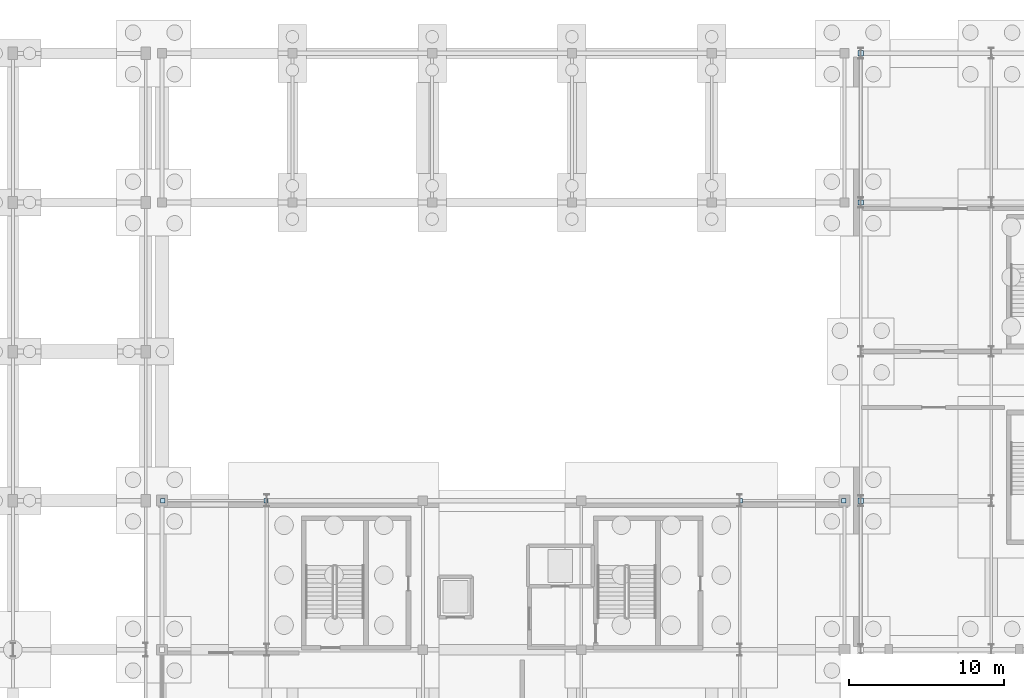
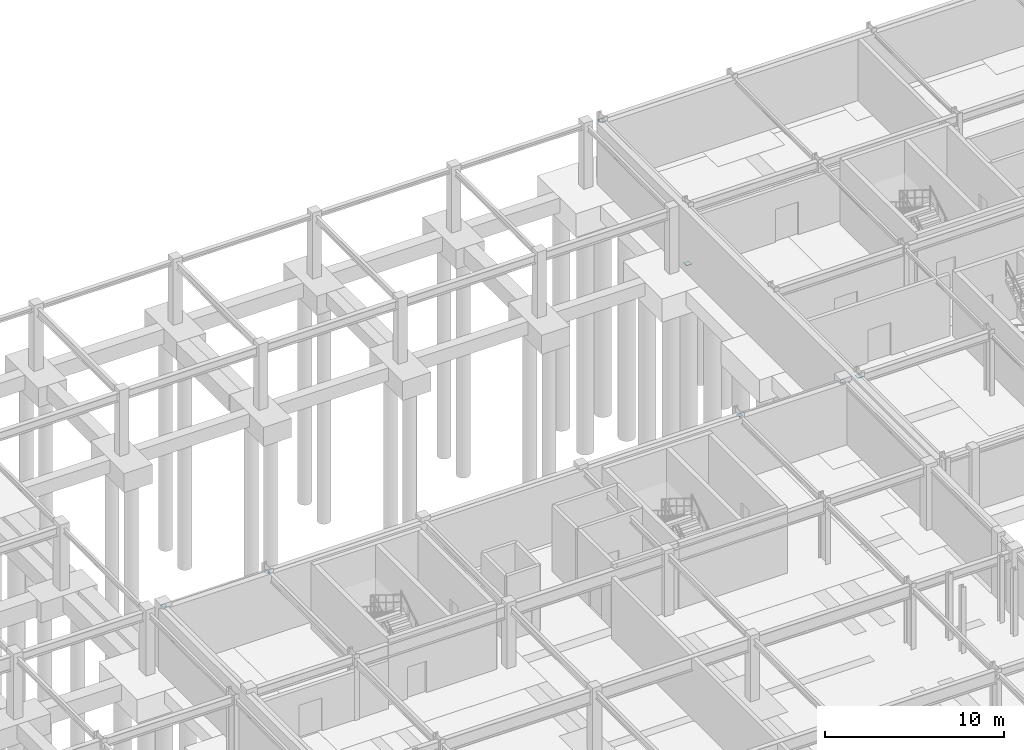
# One storey, part 36 of 59: 7 plates.
"""IFC4 building model written with IfcOpenShell, lengths in metres."""

from ifc_helpers import new_model, si_unit, direction, frame, origin, origin_2d, place, context, subcontext, project, spatial, rectangle, extrude, material, layer, layer_set, type_object, element, save


model = new_model("IFC4")

# Units and contexts
model_context = context("Model", 3, precision=1e-05, world=origin(), true_north=direction((0.0, 1.0)))
body_context = subcontext(model_context, "Body", "Model", "MODEL_VIEW")
ifc_project = project(units=[si_unit("LENGTHUNIT", "METRE"), si_unit("AREAUNIT", "SQUARE_METRE"), si_unit("VOLUMEUNIT", "CUBIC_METRE"), si_unit("PLANEANGLEUNIT", "RADIAN"), si_unit("MASSUNIT", "GRAM", prefix="KILO")], contexts=[model_context])

# Site, building, storey
site_placement = place(None, origin())
site = spatial("IfcSite", under=ifc_project, at=site_placement, CompositionType="ELEMENT")
building_placement = place(site_placement, origin())
building = spatial("IfcBuilding", under=site, at=building_placement, Name="Myrtia Square Station", CompositionType="ELEMENT")
storey_placement = place(building_placement, frame((0.0, 0.0, -4.5)))
storey = spatial("IfcBuildingStorey", under=building, at=storey_placement, Name="B01", CompositionType="ELEMENT", Elevation=-4.5)

# Plates
ifc_material = material(Name="Steel S355", Category="steel")
ifc_layer_1 = layer(ifc_material, 0.01611328125, Name="Steel S355")
ifc_layer_set_1 = layer_set([ifc_layer_1], Name="Steel S355")
plate_type_1 = type_object("IfcPlateType", Name="PLT-GUS16", PredefinedType="USERDEFINED", material=ifc_layer_set_1)
for number, where, z_axis, x_axis, name in (
    (1, (72.64990234375, 96.0, 4.0869140625), (0.0, 0.0, 1.0), (1.0, 0.0, 0.0), "Truss node gusset plate SPN-B01-0016-1"),
    (2, (79.300048828125, 96.0, 4.0869140625), (0.0, 0.0, 1.0), (1.0, 0.0, 0.0), "Truss node gusset plate SPN-B01-0016-2"),
    (3, (109.85009765625, 96.0, 4.0869140625), (0.0, 0.0, 1.0), (1.0, 0.0, 0.0), "Truss node gusset plate SPN-B01-0017-1"),
    (4, (116.5, 96.0, 4.0869140625), (0.0, 0.0, 1.0), (1.0, 0.0, 0.0), "Truss node gusset plate SPN-B01-0017-2"),
):
    element("IfcPlate", number, at=place(storey_placement, frame(where, z_axis=z_axis, x_axis=x_axis)), inside=storey, type_object=plate_type_1, Name=name, ObjectType="GUSSET PLATE", PredefinedType="USERDEFINED", context=body_context, shape_type="SweptSolid", body=[
        extrude(rectangle(XDim=0.280029296875, YDim=0.280029296875, at=origin_2d()), origin(), (0.0, 0.0, 1.0), 0.01611328125),
    ])
ifc_layer_2 = layer(ifc_material, 0.034912109375, Name="Steel S355")
ifc_layer_set_2 = layer_set([ifc_layer_2], Name="Steel S355")
plate_type_2 = type_object("IfcPlateType", Name="PLT-GUS35", PredefinedType="USERDEFINED", material=ifc_layer_set_2)
for number, where, z_axis, x_axis, name in (
    (5, (117.60009765625, 96.0, 4.03271484375), (0.0, 0.0, 1.0), (0.0, 1.0, 0.0), "Truss node gusset plate BF-B01-03-2"),
    (6, (117.60009765625, 115.199951171875, 0.08251953125), (0.0, 0.0, 1.0), (0.0, 1.0, 0.0), "Truss node gusset plate BF-B01-04-1"),
    (7, (117.60009765625, 124.800048828125, 4.03271484375), (0.0, 0.0, 1.0), (0.0, 1.0, 0.0), "Truss node gusset plate BF-B01-04-2"),
):
    element("IfcPlate", number, at=place(storey_placement, frame(where, z_axis=z_axis, x_axis=x_axis)), inside=storey, type_object=plate_type_2, Name=name, ObjectType="GUSSET PLATE", PredefinedType="USERDEFINED", context=body_context, shape_type="SweptSolid", body=[
        extrude(rectangle(XDim=0.340087890625, YDim=0.340087890625, at=origin_2d()), origin(), (0.0, 0.0, 1.0), 0.034912109375),
    ])

save(model, "model.ifc")
